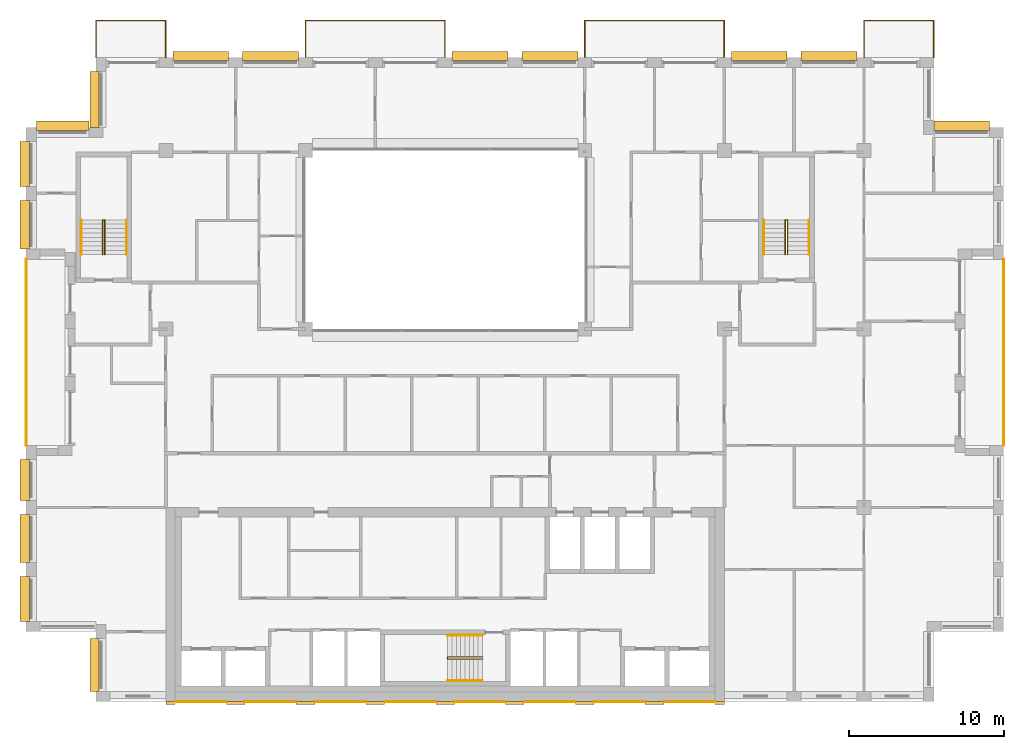
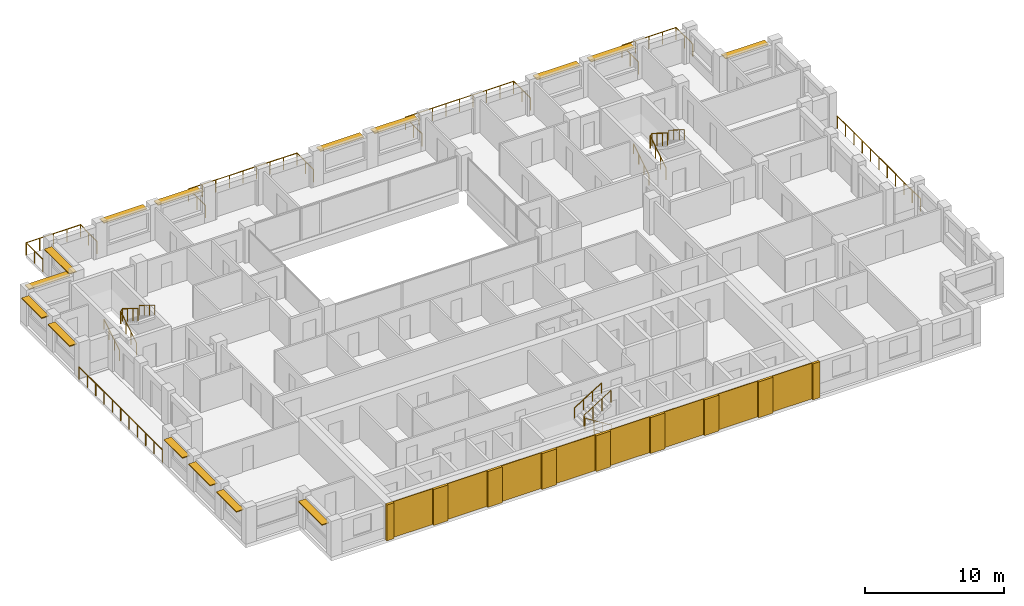
# One storey, part 15 of 15: 17 coverings, 15 railings, 15 shading devices.
"""IFC4 building model written with IfcOpenShell, lengths in metres."""

from ifc_helpers import new_model, si_unit, direction, frame, origin, origin_2d, place, context, subcontext, project, spatial, rectangle, circle, extrude, material, layer, layer_set, type_object, element, save


model = new_model("IFC4")

# Units and contexts
model_context = context("Model", 3, precision=1e-05, world=origin(), true_north=direction((0.0, 1.0)))
body_context = subcontext(model_context, "Body", "Model", "MODEL_VIEW")
ifc_project = project(units=[si_unit("LENGTHUNIT", "METRE"), si_unit("AREAUNIT", "SQUARE_METRE"), si_unit("VOLUMEUNIT", "CUBIC_METRE"), si_unit("PLANEANGLEUNIT", "RADIAN"), si_unit("MASSUNIT", "GRAM", prefix="KILO")], contexts=[model_context])

# Site, building, storey
site_placement = place(None, origin())
site = spatial("IfcSite", under=ifc_project, at=site_placement, CompositionType="ELEMENT")
building_placement = place(site_placement, origin())
building = spatial("IfcBuilding", under=site, at=building_placement, Name="Brigalow Station Residences", CompositionType="ELEMENT")
storey_placement = place(building_placement, frame((0.0, 0.0, 220.050048828125)))
storey = spatial("IfcBuildingStorey", under=building, at=storey_placement, Name="L63", CompositionType="ELEMENT", Elevation=220.050048828125)

# Railings
ifc_material_1 = material(Name="Stainless steel balustrade with laminated glass infill", Category="steel")
railing_type_1 = type_object("IfcRailingType", Name="BALCONY GUARD 1100", PredefinedType="GUARDRAIL", material=ifc_material_1)
railing_1_placement = place(storey_placement, frame((72.0, 16.5, -0.0400390625)))
element("IfcRailing", 1, at=railing_1_placement, inside=storey, type_object=railing_type_1, Name="L63/balcony-guard/1", PredefinedType="GUARDRAIL", context=body_context, shape_type="SweptSolid", body=[
    extrude(circle(Radius=0.02392578125, at=origin_2d()), frame((0.0, 0.0, 1.076171875), z_axis=(0.0, 1.0, 0.0), x_axis=(-1.0, 0.0, 0.0)), (0.0, 0.0, 1.0), 12.0),
    extrude(circle(Radius=0.02099609375, at=origin_2d()), origin(), (0.0, 0.0, 1.0), 1.052001953125),
    extrude(circle(Radius=0.02099609375, at=origin_2d()), frame((0.0, 1.199951171875, 0.0)), (0.0, 0.0, 1.0), 1.052001953125),
    extrude(circle(Radius=0.02099609375, at=origin_2d()), frame((0.0, 2.39990234375, 0.0)), (0.0, 0.0, 1.0), 1.052001953125),
    extrude(circle(Radius=0.02099609375, at=origin_2d()), frame((0.0, 3.60009765625, 0.0)), (0.0, 0.0, 1.0), 1.052001953125),
    extrude(circle(Radius=0.02099609375, at=origin_2d()), frame((0.0, 4.800048828125, 0.0)), (0.0, 0.0, 1.0), 1.052001953125),
    extrude(circle(Radius=0.02099609375, at=origin_2d()), frame((0.0, 6.0, 0.0)), (0.0, 0.0, 1.0), 1.052001953125),
    extrude(circle(Radius=0.02099609375, at=origin_2d()), frame((0.0, 7.199951171875, 0.0)), (0.0, 0.0, 1.0), 1.052001953125),
    extrude(circle(Radius=0.02099609375, at=origin_2d()), frame((0.0, 8.39990234375, 0.0)), (0.0, 0.0, 1.0), 1.052001953125),
    extrude(circle(Radius=0.02099609375, at=origin_2d()), frame((0.0, 9.60009765625, 0.0)), (0.0, 0.0, 1.0), 1.052001953125),
    extrude(circle(Radius=0.02099609375, at=origin_2d()), frame((0.0, 10.800048828125, 0.0)), (0.0, 0.0, 1.0), 1.052001953125),
    extrude(circle(Radius=0.02099609375, at=origin_2d()), frame((0.0, 12.0, 0.0)), (0.0, 0.0, 1.0), 1.052001953125),
])
railing_2_placement = place(storey_placement, frame((67.5, 41.5, -0.0400390625)))
element("IfcRailing", 2, at=railing_2_placement, inside=storey, type_object=railing_type_1, Name="L63/balcony-guard/2", PredefinedType="GUARDRAIL", context=body_context, shape_type="SweptSolid", body=[
    extrude(circle(Radius=0.02392578125, at=origin_2d()), frame((0.0, 0.0, 1.076171875), z_axis=(0.0, 1.0, 0.0), x_axis=(-1.0, 0.0, 0.0)), (0.0, 0.0, 1.0), 2.39990234375),
    extrude(circle(Radius=0.02392578125, at=origin_2d()), frame((0.0, 2.39990234375, 1.076171875), z_axis=(-1.0, 0.0, 0.0), x_axis=(0.0, -1.0, 0.0)), (0.0, 0.0, 1.0), 4.5),
    extrude(circle(Radius=0.02392578125, at=origin_2d()), frame((-4.5, 2.39990234375, 1.076171875), z_axis=(0.0, -1.0, 0.0), x_axis=(1.0, 0.0, 0.0)), (0.0, 0.0, 1.0), 2.39990234375),
    extrude(circle(Radius=0.02099609375, at=origin_2d()), origin(), (0.0, 0.0, 1.0), 1.052001953125),
    extrude(circle(Radius=0.02099609375, at=origin_2d()), frame((0.0, 1.199951171875, 0.0)), (0.0, 0.0, 1.0), 1.052001953125),
    extrude(circle(Radius=0.02099609375, at=origin_2d()), frame((0.0, 2.39990234375, 0.0)), (0.0, 0.0, 1.0), 1.052001953125),
    extrude(circle(Radius=0.02099609375, at=origin_2d()), frame((-1.125, 2.39990234375, 0.0)), (0.0, 0.0, 1.0), 1.052001953125),
    extrude(circle(Radius=0.02099609375, at=origin_2d()), frame((-2.25, 2.39990234375, 0.0)), (0.0, 0.0, 1.0), 1.052001953125),
    extrude(circle(Radius=0.02099609375, at=origin_2d()), frame((-3.375, 2.39990234375, 0.0)), (0.0, 0.0, 1.0), 1.052001953125),
    extrude(circle(Radius=0.02099609375, at=origin_2d()), frame((-4.5, 2.39990234375, 0.0)), (0.0, 0.0, 1.0), 1.052001953125),
    extrude(circle(Radius=0.02099609375, at=origin_2d()), frame((-4.5, 1.199951171875, 0.0)), (0.0, 0.0, 1.0), 1.052001953125),
    extrude(circle(Radius=0.02099609375, at=origin_2d()), frame((-4.5, 0.0, 0.0)), (0.0, 0.0, 1.0), 1.052001953125),
])
railing_3_placement = place(storey_placement, frame((54.0, 41.5, -0.0400390625)))
element("IfcRailing", 3, at=railing_3_placement, inside=storey, type_object=railing_type_1, Name="L63/balcony-guard/3", PredefinedType="GUARDRAIL", context=body_context, shape_type="SweptSolid", body=[
    extrude(circle(Radius=0.02392578125, at=origin_2d()), frame((0.0, 0.0, 1.076171875), z_axis=(0.0, 1.0, 0.0), x_axis=(-1.0, 0.0, 0.0)), (0.0, 0.0, 1.0), 2.39990234375),
    extrude(circle(Radius=0.02392578125, at=origin_2d()), frame((0.0, 2.39990234375, 1.076171875), z_axis=(-1.0, 0.0, 0.0), x_axis=(0.0, -1.0, 0.0)), (0.0, 0.0, 1.0), 9.0),
    extrude(circle(Radius=0.02392578125, at=origin_2d()), frame((-9.0, 2.39990234375, 1.076171875), z_axis=(0.0, -1.0, 0.0), x_axis=(1.0, 0.0, 0.0)), (0.0, 0.0, 1.0), 2.39990234375),
    extrude(circle(Radius=0.02099609375, at=origin_2d()), origin(), (0.0, 0.0, 1.0), 1.052001953125),
    extrude(circle(Radius=0.02099609375, at=origin_2d()), frame((0.0, 1.199951171875, 0.0)), (0.0, 0.0, 1.0), 1.052001953125),
    extrude(circle(Radius=0.02099609375, at=origin_2d()), frame((0.0, 2.39990234375, 0.0)), (0.0, 0.0, 1.0), 1.052001953125),
    extrude(circle(Radius=0.02099609375, at=origin_2d()), frame((-1.125, 2.39990234375, 0.0)), (0.0, 0.0, 1.0), 1.052001953125),
    extrude(circle(Radius=0.02099609375, at=origin_2d()), frame((-2.25, 2.39990234375, 0.0)), (0.0, 0.0, 1.0), 1.052001953125),
    extrude(circle(Radius=0.02099609375, at=origin_2d()), frame((-3.375, 2.39990234375, 0.0)), (0.0, 0.0, 1.0), 1.052001953125),
    extrude(circle(Radius=0.02099609375, at=origin_2d()), frame((-4.5, 2.39990234375, 0.0)), (0.0, 0.0, 1.0), 1.052001953125),
    extrude(circle(Radius=0.02099609375, at=origin_2d()), frame((-5.625, 2.39990234375, 0.0)), (0.0, 0.0, 1.0), 1.052001953125),
    extrude(circle(Radius=0.02099609375, at=origin_2d()), frame((-6.75, 2.39990234375, 0.0)), (0.0, 0.0, 1.0), 1.052001953125),
    extrude(circle(Radius=0.02099609375, at=origin_2d()), frame((-7.875, 2.39990234375, 0.0)), (0.0, 0.0, 1.0), 1.052001953125),
    extrude(circle(Radius=0.02099609375, at=origin_2d()), frame((-9.0, 2.39990234375, 0.0)), (0.0, 0.0, 1.0), 1.052001953125),
    extrude(circle(Radius=0.02099609375, at=origin_2d()), frame((-9.0, 1.199951171875, 0.0)), (0.0, 0.0, 1.0), 1.052001953125),
    extrude(circle(Radius=0.02099609375, at=origin_2d()), frame((-9.0, 0.0, 0.0)), (0.0, 0.0, 1.0), 1.052001953125),
])
railing_4_placement = place(storey_placement, frame((36.0, 41.5, -0.0400390625)))
element("IfcRailing", 4, at=railing_4_placement, inside=storey, type_object=railing_type_1, Name="L63/balcony-guard/4", PredefinedType="GUARDRAIL", context=body_context, shape_type="SweptSolid", body=[
    extrude(circle(Radius=0.02392578125, at=origin_2d()), frame((0.0, 0.0, 1.076171875), z_axis=(0.0, 1.0, 0.0), x_axis=(-1.0, 0.0, 0.0)), (0.0, 0.0, 1.0), 2.39990234375),
    extrude(circle(Radius=0.02392578125, at=origin_2d()), frame((0.0, 2.39990234375, 1.076171875), z_axis=(-1.0, 0.0, 0.0), x_axis=(0.0, -1.0, 0.0)), (0.0, 0.0, 1.0), 9.0),
    extrude(circle(Radius=0.02392578125, at=origin_2d()), frame((-9.0, 2.39990234375, 1.076171875), z_axis=(0.0, -1.0, 0.0), x_axis=(1.0, 0.0, 0.0)), (0.0, 0.0, 1.0), 2.39990234375),
    extrude(circle(Radius=0.02099609375, at=origin_2d()), origin(), (0.0, 0.0, 1.0), 1.052001953125),
    extrude(circle(Radius=0.02099609375, at=origin_2d()), frame((0.0, 1.199951171875, 0.0)), (0.0, 0.0, 1.0), 1.052001953125),
    extrude(circle(Radius=0.02099609375, at=origin_2d()), frame((0.0, 2.39990234375, 0.0)), (0.0, 0.0, 1.0), 1.052001953125),
    extrude(circle(Radius=0.02099609375, at=origin_2d()), frame((-1.125, 2.39990234375, 0.0)), (0.0, 0.0, 1.0), 1.052001953125),
    extrude(circle(Radius=0.02099609375, at=origin_2d()), frame((-2.25, 2.39990234375, 0.0)), (0.0, 0.0, 1.0), 1.052001953125),
    extrude(circle(Radius=0.02099609375, at=origin_2d()), frame((-3.375, 2.39990234375, 0.0)), (0.0, 0.0, 1.0), 1.052001953125),
    extrude(circle(Radius=0.02099609375, at=origin_2d()), frame((-4.5, 2.39990234375, 0.0)), (0.0, 0.0, 1.0), 1.052001953125),
    extrude(circle(Radius=0.02099609375, at=origin_2d()), frame((-5.625, 2.39990234375, 0.0)), (0.0, 0.0, 1.0), 1.052001953125),
    extrude(circle(Radius=0.02099609375, at=origin_2d()), frame((-6.75, 2.39990234375, 0.0)), (0.0, 0.0, 1.0), 1.052001953125),
    extrude(circle(Radius=0.02099609375, at=origin_2d()), frame((-7.875, 2.39990234375, 0.0)), (0.0, 0.0, 1.0), 1.052001953125),
    extrude(circle(Radius=0.02099609375, at=origin_2d()), frame((-9.0, 2.39990234375, 0.0)), (0.0, 0.0, 1.0), 1.052001953125),
    extrude(circle(Radius=0.02099609375, at=origin_2d()), frame((-9.0, 1.199951171875, 0.0)), (0.0, 0.0, 1.0), 1.052001953125),
    extrude(circle(Radius=0.02099609375, at=origin_2d()), frame((-9.0, 0.0, 0.0)), (0.0, 0.0, 1.0), 1.052001953125),
])
railing_5_placement = place(storey_placement, frame((18.0, 41.5, -0.0400390625)))
element("IfcRailing", 5, at=railing_5_placement, inside=storey, type_object=railing_type_1, Name="L63/balcony-guard/5", PredefinedType="GUARDRAIL", context=body_context, shape_type="SweptSolid", body=[
    extrude(circle(Radius=0.02392578125, at=origin_2d()), frame((0.0, 0.0, 1.076171875), z_axis=(0.0, 1.0, 0.0), x_axis=(-1.0, 0.0, 0.0)), (0.0, 0.0, 1.0), 2.39990234375),
    extrude(circle(Radius=0.02392578125, at=origin_2d()), frame((0.0, 2.39990234375, 1.076171875), z_axis=(-1.0, 0.0, 0.0), x_axis=(0.0, -1.0, 0.0)), (0.0, 0.0, 1.0), 4.5),
    extrude(circle(Radius=0.02392578125, at=origin_2d()), frame((-4.5, 2.39990234375, 1.076171875), z_axis=(0.0, -1.0, 0.0), x_axis=(1.0, 0.0, 0.0)), (0.0, 0.0, 1.0), 2.39990234375),
    extrude(circle(Radius=0.02099609375, at=origin_2d()), origin(), (0.0, 0.0, 1.0), 1.052001953125),
    extrude(circle(Radius=0.02099609375, at=origin_2d()), frame((0.0, 1.199951171875, 0.0)), (0.0, 0.0, 1.0), 1.052001953125),
    extrude(circle(Radius=0.02099609375, at=origin_2d()), frame((0.0, 2.39990234375, 0.0)), (0.0, 0.0, 1.0), 1.052001953125),
    extrude(circle(Radius=0.02099609375, at=origin_2d()), frame((-1.125, 2.39990234375, 0.0)), (0.0, 0.0, 1.0), 1.052001953125),
    extrude(circle(Radius=0.02099609375, at=origin_2d()), frame((-2.25, 2.39990234375, 0.0)), (0.0, 0.0, 1.0), 1.052001953125),
    extrude(circle(Radius=0.02099609375, at=origin_2d()), frame((-3.375, 2.39990234375, 0.0)), (0.0, 0.0, 1.0), 1.052001953125),
    extrude(circle(Radius=0.02099609375, at=origin_2d()), frame((-4.5, 2.39990234375, 0.0)), (0.0, 0.0, 1.0), 1.052001953125),
    extrude(circle(Radius=0.02099609375, at=origin_2d()), frame((-4.5, 1.199951171875, 0.0)), (0.0, 0.0, 1.0), 1.052001953125),
    extrude(circle(Radius=0.02099609375, at=origin_2d()), frame((-4.5, 0.0, 0.0)), (0.0, 0.0, 1.0), 1.052001953125),
])
railing_6_placement = place(storey_placement, frame((9.0, 28.5, -0.0400390625)))
element("IfcRailing", 6, at=railing_6_placement, inside=storey, type_object=railing_type_1, Name="L63/balcony-guard/6", PredefinedType="GUARDRAIL", context=body_context, shape_type="SweptSolid", body=[
    extrude(circle(Radius=0.02392578125, at=origin_2d()), frame((0.0, 0.0, 1.076171875), z_axis=(0.0, -1.0, 0.0), x_axis=(1.0, 0.0, 0.0)), (0.0, 0.0, 1.0), 12.0),
    extrude(circle(Radius=0.02099609375, at=origin_2d()), origin(), (0.0, 0.0, 1.0), 1.052001953125),
    extrude(circle(Radius=0.02099609375, at=origin_2d()), frame((0.0, -1.199951171875, 0.0)), (0.0, 0.0, 1.0), 1.052001953125),
    extrude(circle(Radius=0.02099609375, at=origin_2d()), frame((0.0, -2.39990234375, 0.0)), (0.0, 0.0, 1.0), 1.052001953125),
    extrude(circle(Radius=0.02099609375, at=origin_2d()), frame((0.0, -3.60009765625, 0.0)), (0.0, 0.0, 1.0), 1.052001953125),
    extrude(circle(Radius=0.02099609375, at=origin_2d()), frame((0.0, -4.800048828125, 0.0)), (0.0, 0.0, 1.0), 1.052001953125),
    extrude(circle(Radius=0.02099609375, at=origin_2d()), frame((0.0, -6.0, 0.0)), (0.0, 0.0, 1.0), 1.052001953125),
    extrude(circle(Radius=0.02099609375, at=origin_2d()), frame((0.0, -7.199951171875, 0.0)), (0.0, 0.0, 1.0), 1.052001953125),
    extrude(circle(Radius=0.02099609375, at=origin_2d()), frame((0.0, -8.39990234375, 0.0)), (0.0, 0.0, 1.0), 1.052001953125),
    extrude(circle(Radius=0.02099609375, at=origin_2d()), frame((0.0, -9.60009765625, 0.0)), (0.0, 0.0, 1.0), 1.052001953125),
    extrude(circle(Radius=0.02099609375, at=origin_2d()), frame((0.0, -10.800048828125, 0.0)), (0.0, 0.0, 1.0), 1.052001953125),
    extrude(circle(Radius=0.02099609375, at=origin_2d()), frame((0.0, -12.0, 0.0)), (0.0, 0.0, 1.0), 1.052001953125),
])

# Coverings
ifc_material_2 = material(Name="Clay brick masonry", Category="masonry")
ifc_layer_1 = layer(ifc_material_2, 0.06005859375)
ifc_layer_set_1 = layer_set([ifc_layer_1], Name="BRICK PANEL FACING 60")
covering_type_1 = type_object("IfcCoveringType", Name="BRICK PANEL FACING 60", PredefinedType="CLADDING", material=ifc_layer_set_1)
for number, where, z_axis, x_axis, name in (
    (7, (20.25, -0.030029296875, 0.0), (0.0, 0.0, 1.0), (1.0, 0.0, 0.0), "L63/rear-facing/panel-1"),
    (8, (24.75, -0.030029296875, 0.0), (0.0, 0.0, 1.0), (1.0, 0.0, 0.0), "L63/rear-facing/panel-2"),
    (9, (29.25, -0.030029296875, 0.0), (0.0, 0.0, 1.0), (1.0, 0.0, 0.0), "L63/rear-facing/panel-3"),
    (10, (33.75, -0.030029296875, 0.0), (0.0, 0.0, 1.0), (1.0, 0.0, 0.0), "L63/rear-facing/panel-4"),
    (11, (38.25, -0.030029296875, 0.0), (0.0, 0.0, 1.0), (1.0, 0.0, 0.0), "L63/rear-facing/panel-5"),
    (12, (42.75, -0.030029296875, 0.0), (0.0, 0.0, 1.0), (1.0, 0.0, 0.0), "L63/rear-facing/panel-6"),
    (13, (47.25, -0.030029296875, 0.0), (0.0, 0.0, 1.0), (1.0, 0.0, 0.0), "L63/rear-facing/panel-7"),
    (14, (51.75, -0.030029296875, 0.0), (0.0, 0.0, 1.0), (1.0, 0.0, 0.0), "L63/rear-facing/panel-8"),
):
    element("IfcCovering", number, at=place(storey_placement, frame(where, z_axis=z_axis, x_axis=x_axis)), inside=storey, type_object=covering_type_1, Name=name, PredefinedType="CLADDING", context=body_context, shape_type="SweptSolid", body=[
        extrude(rectangle(XDim=3.300048828125, YDim=0.06005859375, at=origin_2d()), origin(), (0.0, 0.0, 1.0), 3.14990234375),
    ])
ifc_material_3 = material(Name="Clay brick masonry", Category="masonry")
ifc_layer_2 = layer(ifc_material_3, 0.199951171875)
ifc_layer_set_2 = layer_set([ifc_layer_2], Name="BRICK PIER FACING 200")
covering_type_2 = type_object("IfcCoveringType", Name="BRICK PIER FACING 200", PredefinedType="CLADDING", material=ifc_layer_set_2)
covering_1_placement = place(storey_placement, frame((18.300048828125, -0.10009765625, 0.0), z_axis=(0.0, 0.0, 1.0), x_axis=(1.0, 0.0, 0.0)))
element("IfcCovering", 15, at=covering_1_placement, inside=storey, type_object=covering_type_2, Name="L63/rear-facing/pier-1", PredefinedType="CLADDING", context=body_context, shape_type="SweptSolid", body=[
    extrude(rectangle(XDim=0.60009765625, YDim=0.199951171875, at=origin_2d()), origin(), (0.0, 0.0, 1.0), 3.14990234375),
])
for number, where, z_axis, x_axis, name in (
    (16, (22.5, -0.10009765625, 0.0), (0.0, 0.0, 1.0), (1.0, 0.0, 0.0), "L63/rear-facing/pier-2"),
    (17, (27.0, -0.10009765625, 0.0), (0.0, 0.0, 1.0), (1.0, 0.0, 0.0), "L63/rear-facing/pier-3"),
    (18, (31.5, -0.10009765625, 0.0), (0.0, 0.0, 1.0), (1.0, 0.0, 0.0), "L63/rear-facing/pier-4"),
    (19, (36.0, -0.10009765625, 0.0), (0.0, 0.0, 1.0), (1.0, 0.0, 0.0), "L63/rear-facing/pier-5"),
    (20, (40.5, -0.10009765625, 0.0), (0.0, 0.0, 1.0), (1.0, 0.0, 0.0), "L63/rear-facing/pier-6"),
    (21, (45.0, -0.10009765625, 0.0), (0.0, 0.0, 1.0), (1.0, 0.0, 0.0), "L63/rear-facing/pier-7"),
    (22, (49.5, -0.10009765625, 0.0), (0.0, 0.0, 1.0), (1.0, 0.0, 0.0), "L63/rear-facing/pier-8"),
):
    element("IfcCovering", number, at=place(storey_placement, frame(where, z_axis=z_axis, x_axis=x_axis)), inside=storey, type_object=covering_type_2, Name=name, PredefinedType="CLADDING", context=body_context, shape_type="SweptSolid", body=[
        extrude(rectangle(XDim=1.199951171875, YDim=0.199951171875, at=origin_2d()), origin(), (0.0, 0.0, 1.0), 3.14990234375),
    ])
covering_2_placement = place(storey_placement, frame((53.699951171875, -0.10009765625, 0.0), z_axis=(0.0, 0.0, 1.0), x_axis=(1.0, 0.0, 0.0)))
element("IfcCovering", 23, at=covering_2_placement, inside=storey, type_object=covering_type_2, Name="L63/rear-facing/pier-9", PredefinedType="CLADDING", context=body_context, shape_type="SweptSolid", body=[
    extrude(rectangle(XDim=0.60009765625, YDim=0.199951171875, at=origin_2d()), origin(), (0.0, 0.0, 1.0), 3.14990234375),
])

# Railings
ifc_material_4 = material(Name="Stainless steel balustrade", Category="steel")
railing_type_2 = type_object("IfcRailingType", Name="STAIR GUARD 1100", PredefinedType="GUARDRAIL", material=ifc_material_4)
railing_7_placement = place(storey_placement, frame((38.39990234375, 2.72998046875, 0.175048828125)))
element("IfcRailing", 24, at=railing_7_placement, inside=storey, type_object=railing_type_2, Name="GUARD GR-2", PredefinedType="GUARDRAIL", context=body_context, shape_type="SweptSolid", body=[
    extrude(circle(Radius=0.02392578125, at=origin_2d()), frame((0.0, 0.0, 1.076171875), z_axis=(-0.848013881152, 0.0, 0.529974015752), x_axis=(0.0, -1.0, 0.0)), (0.0, 0.0, 1.0), 2.641357421875),
    extrude(circle(Radius=0.02392578125, at=origin_2d()), frame((-2.239990234375, 0.0, 2.47607421875), z_axis=(0.0, 0.624960567888, 0.780656319122), x_axis=(-1.0, 0.0, 0.0)), (0.0, 0.0, 1.0), 0.22412109375),
    extrude(circle(Radius=0.02392578125, at=origin_2d()), frame((-2.239990234375, 0.14013671875, 2.65087890625), z_axis=(0.848013881152, 0.0, 0.529974015752), x_axis=(0.0, 1.0, 0.0)), (0.0, 0.0, 1.0), 2.641357421875),
    extrude(circle(Radius=0.02099609375, at=origin_2d()), origin(), (0.0, 0.0, 1.0), 1.052001953125),
    extrude(circle(Radius=0.02099609375, at=origin_2d()), frame((-0.74658203125, 0.0, 0.466552734375)), (0.0, 0.0, 1.0), 1.052001953125),
    extrude(circle(Radius=0.02099609375, at=origin_2d()), frame((-1.493408203125, 0.0, 0.933349609375)), (0.0, 0.0, 1.0), 1.052001953125),
    extrude(circle(Radius=0.02099609375, at=origin_2d()), frame((-2.239990234375, 0.0, 1.39990234375)), (0.0, 0.0, 1.0), 1.052001953125),
    extrude(circle(Radius=0.02099609375, at=origin_2d()), frame((-2.239990234375, 0.14013671875, 1.574951171875)), (0.0, 0.0, 1.0), 1.052001953125),
    extrude(circle(Radius=0.02099609375, at=origin_2d()), frame((-1.493408203125, 0.14013671875, 2.04150390625)), (0.0, 0.0, 1.0), 1.052001953125),
    extrude(circle(Radius=0.02099609375, at=origin_2d()), frame((-0.74658203125, 0.14013671875, 2.50830078125)), (0.0, 0.0, 1.0), 1.052001953125),
    extrude(circle(Radius=0.02099609375, at=origin_2d()), frame((0.0, 0.14013671875, 2.974853515625)), (0.0, 0.0, 1.0), 1.052001953125),
])
for number, where, name in (
    (25, (13.929931640625, 28.800048828125, 0.175048828125), "GUARD GR-1"),
    (26, (57.929931640625, 28.800048828125, 0.175048828125), "GUARD GR-3"),
):
    element("IfcRailing", number, at=place(storey_placement, frame(where)), inside=storey, type_object=railing_type_2, Name=name, PredefinedType="GUARDRAIL", context=body_context, shape_type="SweptSolid", body=[
        extrude(circle(Radius=0.02392578125, at=origin_2d()), frame((0.0, 0.0, 1.076171875), z_axis=(0.0, 0.848013881152, 0.529974015752), x_axis=(-1.0, 0.0, 0.0)), (0.0, 0.0, 1.0), 2.641357421875),
        extrude(circle(Radius=0.02392578125, at=origin_2d()), frame((0.0, 2.239990234375, 2.47607421875), z_axis=(0.624960567888, 0.0, 0.780656319122), x_axis=(0.0, 1.0, 0.0)), (0.0, 0.0, 1.0), 0.22412109375),
        extrude(circle(Radius=0.02392578125, at=origin_2d()), frame((0.14013671875, 2.239990234375, 2.65087890625), z_axis=(0.0, -0.848013881152, 0.529974015752), x_axis=(1.0, 0.0, 0.0)), (0.0, 0.0, 1.0), 2.641357421875),
        extrude(circle(Radius=0.02099609375, at=origin_2d()), origin(), (0.0, 0.0, 1.0), 1.052001953125),
        extrude(circle(Radius=0.02099609375, at=origin_2d()), frame((0.0, 0.74658203125, 0.466552734375)), (0.0, 0.0, 1.0), 1.052001953125),
        extrude(circle(Radius=0.02099609375, at=origin_2d()), frame((0.0, 1.493408203125, 0.933349609375)), (0.0, 0.0, 1.0), 1.052001953125),
        extrude(circle(Radius=0.02099609375, at=origin_2d()), frame((0.0, 2.239990234375, 1.39990234375)), (0.0, 0.0, 1.0), 1.052001953125),
        extrude(circle(Radius=0.02099609375, at=origin_2d()), frame((0.14013671875, 2.239990234375, 1.574951171875)), (0.0, 0.0, 1.0), 1.052001953125),
        extrude(circle(Radius=0.02099609375, at=origin_2d()), frame((0.14013671875, 1.493408203125, 2.04150390625)), (0.0, 0.0, 1.0), 1.052001953125),
        extrude(circle(Radius=0.02099609375, at=origin_2d()), frame((0.14013671875, 0.74658203125, 2.50830078125)), (0.0, 0.0, 1.0), 1.052001953125),
        extrude(circle(Radius=0.02099609375, at=origin_2d()), frame((0.14013671875, 0.0, 2.974853515625)), (0.0, 0.0, 1.0), 1.052001953125),
    ])
ifc_material_5 = material(Name="Stainless steel handrail", Category="steel")
railing_type_3 = type_object("IfcRailingType", Name="STAIR HANDRAIL 900", PredefinedType="HANDRAIL", material=ifc_material_5)
railing_8_placement = place(storey_placement, frame((38.39990234375, 1.340087890625, 0.175048828125)))
element("IfcRailing", 27, at=railing_8_placement, inside=storey, type_object=railing_type_3, Name="HANDRAIL HR-21", PredefinedType="HANDRAIL", context=body_context, shape_type="SweptSolid", body=[
    extrude(circle(Radius=0.02392578125, at=origin_2d()), frame((0.0, 0.0, 0.8759765625), z_axis=(-0.848013881152, 0.0, 0.529974015752), x_axis=(0.0, -1.0, 0.0)), (0.0, 0.0, 1.0), 2.641357421875),
    extrude(circle(Radius=0.02099609375, at=origin_2d()), origin(), (0.0, 0.0, 1.0), 0.851806640625),
    extrude(circle(Radius=0.02099609375, at=origin_2d()), frame((-0.74658203125, 0.0, 0.466552734375)), (0.0, 0.0, 1.0), 0.851806640625),
    extrude(circle(Radius=0.02099609375, at=origin_2d()), frame((-1.493408203125, 0.0, 0.933349609375)), (0.0, 0.0, 1.0), 0.851806640625),
    extrude(circle(Radius=0.02099609375, at=origin_2d()), frame((-2.239990234375, 0.0, 1.39990234375)), (0.0, 0.0, 1.0), 0.851806640625),
])
railing_9_placement = place(storey_placement, frame((36.159912109375, 4.260009765625, 1.75)))
element("IfcRailing", 28, at=railing_9_placement, inside=storey, type_object=railing_type_3, Name="HANDRAIL HR-22", PredefinedType="HANDRAIL", context=body_context, shape_type="SweptSolid", body=[
    extrude(circle(Radius=0.02392578125, at=origin_2d()), frame((0.0, 0.0, 0.8759765625), z_axis=(0.848013881152, 0.0, 0.529974015752), x_axis=(0.0, 1.0, 0.0)), (0.0, 0.0, 1.0), 2.641357421875),
    extrude(circle(Radius=0.02099609375, at=origin_2d()), origin(), (0.0, 0.0, 1.0), 0.851806640625),
    extrude(circle(Radius=0.02099609375, at=origin_2d()), frame((0.74658203125, 0.0, 0.466552734375)), (0.0, 0.0, 1.0), 0.851806640625),
    extrude(circle(Radius=0.02099609375, at=origin_2d()), frame((1.493408203125, 0.0, 0.933349609375)), (0.0, 0.0, 1.0), 0.851806640625),
    extrude(circle(Radius=0.02099609375, at=origin_2d()), frame((2.239990234375, 0.0, 1.39990234375)), (0.0, 0.0, 1.0), 0.851806640625),
])
railing_10_placement = place(storey_placement, frame((12.5400390625, 28.800048828125, 0.175048828125)))
element("IfcRailing", 29, at=railing_10_placement, inside=storey, type_object=railing_type_3, Name="HANDRAIL HR-11", PredefinedType="HANDRAIL", context=body_context, shape_type="SweptSolid", body=[
    extrude(circle(Radius=0.02392578125, at=origin_2d()), frame((0.0, 0.0, 0.8759765625), z_axis=(0.0, 0.848013881152, 0.529974015752), x_axis=(-1.0, 0.0, 0.0)), (0.0, 0.0, 1.0), 2.641357421875),
    extrude(circle(Radius=0.02099609375, at=origin_2d()), origin(), (0.0, 0.0, 1.0), 0.851806640625),
    extrude(circle(Radius=0.02099609375, at=origin_2d()), frame((0.0, 0.74658203125, 0.466552734375)), (0.0, 0.0, 1.0), 0.851806640625),
    extrude(circle(Radius=0.02099609375, at=origin_2d()), frame((0.0, 1.493408203125, 0.933349609375)), (0.0, 0.0, 1.0), 0.851806640625),
    extrude(circle(Radius=0.02099609375, at=origin_2d()), frame((0.0, 2.239990234375, 1.39990234375)), (0.0, 0.0, 1.0), 0.851806640625),
])
railing_11_placement = place(storey_placement, frame((15.4599609375, 31.0400390625, 1.75)))
element("IfcRailing", 30, at=railing_11_placement, inside=storey, type_object=railing_type_3, Name="HANDRAIL HR-12", PredefinedType="HANDRAIL", context=body_context, shape_type="SweptSolid", body=[
    extrude(circle(Radius=0.02392578125, at=origin_2d()), frame((0.0, 0.0, 0.8759765625), z_axis=(0.0, -0.848013881152, 0.529974015752), x_axis=(1.0, 0.0, 0.0)), (0.0, 0.0, 1.0), 2.641357421875),
    extrude(circle(Radius=0.02099609375, at=origin_2d()), origin(), (0.0, 0.0, 1.0), 0.851806640625),
    extrude(circle(Radius=0.02099609375, at=origin_2d()), frame((0.0, -0.74658203125, 0.466552734375)), (0.0, 0.0, 1.0), 0.851806640625),
    extrude(circle(Radius=0.02099609375, at=origin_2d()), frame((0.0, -1.493408203125, 0.933349609375)), (0.0, 0.0, 1.0), 0.851806640625),
    extrude(circle(Radius=0.02099609375, at=origin_2d()), frame((0.0, -2.239990234375, 1.39990234375)), (0.0, 0.0, 1.0), 0.851806640625),
])
railing_12_placement = place(storey_placement, frame((56.5400390625, 28.800048828125, 0.175048828125)))
element("IfcRailing", 31, at=railing_12_placement, inside=storey, type_object=railing_type_3, Name="HANDRAIL HR-31", PredefinedType="HANDRAIL", context=body_context, shape_type="SweptSolid", body=[
    extrude(circle(Radius=0.02392578125, at=origin_2d()), frame((0.0, 0.0, 0.8759765625), z_axis=(0.0, 0.848013881152, 0.529974015752), x_axis=(-1.0, 0.0, 0.0)), (0.0, 0.0, 1.0), 2.641357421875),
    extrude(circle(Radius=0.02099609375, at=origin_2d()), origin(), (0.0, 0.0, 1.0), 0.851806640625),
    extrude(circle(Radius=0.02099609375, at=origin_2d()), frame((0.0, 0.74658203125, 0.466552734375)), (0.0, 0.0, 1.0), 0.851806640625),
    extrude(circle(Radius=0.02099609375, at=origin_2d()), frame((0.0, 1.493408203125, 0.933349609375)), (0.0, 0.0, 1.0), 0.851806640625),
    extrude(circle(Radius=0.02099609375, at=origin_2d()), frame((0.0, 2.239990234375, 1.39990234375)), (0.0, 0.0, 1.0), 0.851806640625),
])
railing_13_placement = place(storey_placement, frame((59.4599609375, 31.0400390625, 1.75)))
element("IfcRailing", 32, at=railing_13_placement, inside=storey, type_object=railing_type_3, Name="HANDRAIL HR-32", PredefinedType="HANDRAIL", context=body_context, shape_type="SweptSolid", body=[
    extrude(circle(Radius=0.02392578125, at=origin_2d()), frame((0.0, 0.0, 0.8759765625), z_axis=(0.0, -0.848013881152, 0.529974015752), x_axis=(1.0, 0.0, 0.0)), (0.0, 0.0, 1.0), 2.641357421875),
    extrude(circle(Radius=0.02099609375, at=origin_2d()), origin(), (0.0, 0.0, 1.0), 0.851806640625),
    extrude(circle(Radius=0.02099609375, at=origin_2d()), frame((0.0, -0.74658203125, 0.466552734375)), (0.0, 0.0, 1.0), 0.851806640625),
    extrude(circle(Radius=0.02099609375, at=origin_2d()), frame((0.0, -1.493408203125, 0.933349609375)), (0.0, 0.0, 1.0), 0.851806640625),
    extrude(circle(Radius=0.02099609375, at=origin_2d()), frame((0.0, -2.239990234375, 1.39990234375)), (0.0, 0.0, 1.0), 0.851806640625),
])

# Shading devices
ifc_material_6 = material(Name="Powder-coated extruded aluminium blade", Category="aluminium")
ifc_layer_3 = layer(ifc_material_6, 0.080078125)
ifc_layer_set_3 = layer_set([ifc_layer_3], Name="SUNSHADE BLADE 600x80")
shading_device_type = type_object("IfcShadingDeviceType", Name="SUNSHADE BLADE 600x80", PredefinedType="JALOUSIE", material=ifc_layer_set_3)
for number, where, z_axis, x_axis, name in (
    (33, (69.300048828125, 37.10009765625, 2.5498046875), (0.0, 0.0, 1.0), (-1.0, 0.0, 0.0), "L63/blade/W-L63-18"),
    (34, (60.75, 41.60009765625, 2.5498046875), (0.0, 0.0, 1.0), (-1.0, 0.0, 0.0), "L63/blade/W-L63-21"),
    (35, (56.25, 41.60009765625, 2.5498046875), (0.0, 0.0, 1.0), (-1.0, 0.0, 0.0), "L63/blade/W-L63-22"),
    (36, (42.75, 41.60009765625, 2.5498046875), (0.0, 0.0, 1.0), (-1.0, 0.0, 0.0), "L63/blade/W-L63-25"),
    (37, (38.25, 41.60009765625, 2.5498046875), (0.0, 0.0, 1.0), (-1.0, 0.0, 0.0), "L63/blade/W-L63-26"),
    (38, (24.75, 41.60009765625, 2.5498046875), (0.0, 0.0, 1.0), (-1.0, 0.0, 0.0), "L63/blade/W-L63-29"),
    (39, (20.25, 41.60009765625, 2.5498046875), (0.0, 0.0, 1.0), (-1.0, 0.0, 0.0), "L63/blade/W-L63-30"),
    (40, (13.39990234375, 38.800048828125, 2.5498046875), (0.0, 0.0, 1.0), (0.0, -1.0, 0.0), "L63/blade/W-L63-32"),
):
    element("IfcShadingDevice", number, at=place(storey_placement, frame(where, z_axis=z_axis, x_axis=x_axis)), inside=storey, type_object=shading_device_type, Name=name, PredefinedType="JALOUSIE", context=body_context, shape_type="SweptSolid", body=[
        extrude(rectangle(XDim=3.60009765625, YDim=0.60009765625, at=origin_2d()), origin(), (0.0, 0.0, 1.0), 0.080078125),
    ])
shading_device_1_placement = place(storey_placement, frame((11.35009765625, 37.10009765625, 2.5498046875), z_axis=(0.0, 0.0, 1.0), x_axis=(-1.0, 0.0, 0.0)))
element("IfcShadingDevice", 41, at=shading_device_1_placement, inside=storey, type_object=shading_device_type, Name="L63/blade/W-L63-33", PredefinedType="JALOUSIE", context=body_context, shape_type="SweptSolid", body=[
    extrude(rectangle(XDim=3.39990234375, YDim=0.60009765625, at=origin_2d()), origin(), (0.0, 0.0, 1.0), 0.080078125),
])
shading_device_2_placement = place(storey_placement, frame((8.89990234375, 34.64990234375, 2.5498046875), z_axis=(0.0, 0.0, 1.0), x_axis=(0.0, -1.0, 0.0)))
element("IfcShadingDevice", 42, at=shading_device_2_placement, inside=storey, type_object=shading_device_type, Name="L63/blade/W-L63-34", PredefinedType="JALOUSIE", context=body_context, shape_type="SweptSolid", body=[
    extrude(rectangle(XDim=2.89990234375, YDim=0.60009765625, at=origin_2d()), origin(), (0.0, 0.0, 1.0), 0.080078125),
])
shading_device_3_placement = place(storey_placement, frame((8.89990234375, 30.72509765625, 2.5498046875), z_axis=(0.0, 0.0, 1.0), x_axis=(0.0, -1.0, 0.0)))
element("IfcShadingDevice", 43, at=shading_device_3_placement, inside=storey, type_object=shading_device_type, Name="L63/blade/W-L63-35", PredefinedType="JALOUSIE", context=body_context, shape_type="SweptSolid", body=[
    extrude(rectangle(XDim=3.14990234375, YDim=0.60009765625, at=origin_2d()), origin(), (0.0, 0.0, 1.0), 0.080078125),
])
shading_device_4_placement = place(storey_placement, frame((8.89990234375, 14.27490234375, 2.5498046875), z_axis=(0.0, 0.0, 1.0), x_axis=(0.0, -1.0, 0.0)))
element("IfcShadingDevice", 44, at=shading_device_4_placement, inside=storey, type_object=shading_device_type, Name="L63/blade/W-L63-41", PredefinedType="JALOUSIE", context=body_context, shape_type="SweptSolid", body=[
    extrude(rectangle(XDim=2.64990234375, YDim=0.60009765625, at=origin_2d()), origin(), (0.0, 0.0, 1.0), 0.080078125),
])
shading_device_5_placement = place(storey_placement, frame((8.89990234375, 10.5, 2.5498046875), z_axis=(0.0, 0.0, 1.0), x_axis=(0.0, -1.0, 0.0)))
element("IfcShadingDevice", 45, at=shading_device_5_placement, inside=storey, type_object=shading_device_type, Name="L63/blade/W-L63-42", PredefinedType="JALOUSIE", context=body_context, shape_type="SweptSolid", body=[
    extrude(rectangle(XDim=3.10009765625, YDim=0.60009765625, at=origin_2d()), origin(), (0.0, 0.0, 1.0), 0.080078125),
])
shading_device_6_placement = place(storey_placement, frame((8.89990234375, 6.60009765625, 2.5498046875), z_axis=(0.0, 0.0, 1.0), x_axis=(0.0, -1.0, 0.0)))
element("IfcShadingDevice", 46, at=shading_device_6_placement, inside=storey, type_object=shading_device_type, Name="L63/blade/W-L63-43", PredefinedType="JALOUSIE", context=body_context, shape_type="SweptSolid", body=[
    extrude(rectangle(XDim=2.89990234375, YDim=0.60009765625, at=origin_2d()), origin(), (0.0, 0.0, 1.0), 0.080078125),
])
shading_device_7_placement = place(storey_placement, frame((13.39990234375, 2.35009765625, 2.5498046875), z_axis=(0.0, 0.0, 1.0), x_axis=(0.0, -1.0, 0.0)))
element("IfcShadingDevice", 47, at=shading_device_7_placement, inside=storey, type_object=shading_device_type, Name="L63/blade/W-L63-45", PredefinedType="JALOUSIE", context=body_context, shape_type="SweptSolid", body=[
    extrude(rectangle(XDim=3.39990234375, YDim=0.60009765625, at=origin_2d()), origin(), (0.0, 0.0, 1.0), 0.080078125),
])

save(model, "model.ifc")
